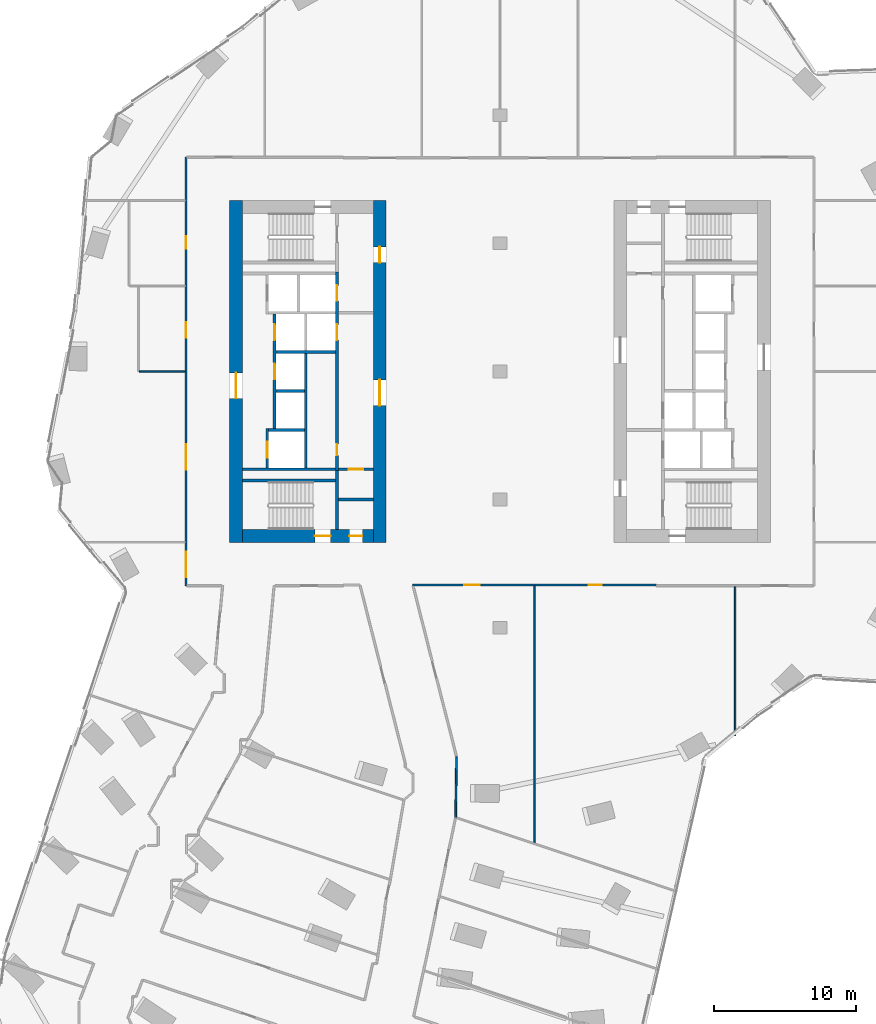
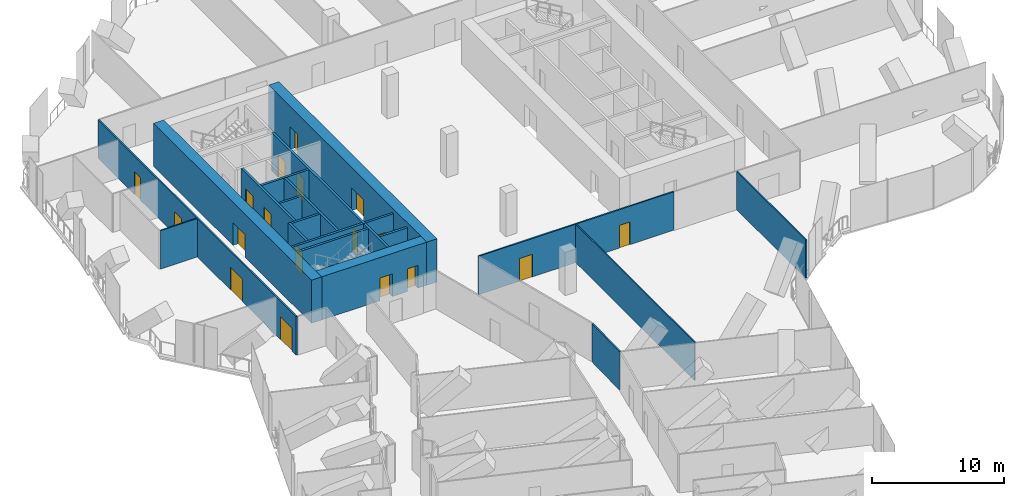
# One storey, part 21 of 28: 21 walls, 18 doors, 18 openings.
"""IFC4 building model written with IfcOpenShell, lengths in metres."""

from ifc_helpers import new_model, si_unit, direction, frame, frame_2d, origin, place, context, subcontext, project, spatial, rectangle, extrude, material, layer, layer_set, type_object, element, fill, save


model = new_model("IFC4")

# Units and contexts
model_context = context("Model", 3, precision=1e-05, world=origin(), true_north=direction((0.0, 1.0)))
body_context = subcontext(model_context, "Body", "Model", "MODEL_VIEW")
ifc_project = project(units=[si_unit("LENGTHUNIT", "METRE"), si_unit("AREAUNIT", "SQUARE_METRE"), si_unit("VOLUMEUNIT", "CUBIC_METRE"), si_unit("PLANEANGLEUNIT", "RADIAN"), si_unit("MASSUNIT", "GRAM", prefix="KILO")], contexts=[model_context])

# Site, building, storey
site_placement = place(None, origin())
site = spatial("IfcSite", under=ifc_project, at=site_placement, CompositionType="ELEMENT")
building_placement = place(site_placement, origin())
building = spatial("IfcBuilding", under=site, at=building_placement, Name="Orlundy Tower", CompositionType="ELEMENT")
storey_placement = place(building_placement, frame((0.0, 0.0, 163.10009765625)))
storey = spatial("IfcBuildingStorey", under=building, at=storey_placement, Name="L42", CompositionType="ELEMENT", Elevation=163.10009765625)

# Wall, openings, doors
ifc_material_1 = material(Name="Concrete C70/85", Category="concrete")
ifc_layer_1 = layer(ifc_material_1, 0.89990234375)
ifc_layer_set_1 = layer_set([ifc_layer_1], Name="CORE WALL 900 C70/85")
wall_type_1 = type_object("IfcWallType", Name="CORE WALL 900 C70/85", PredefinedType="SHEAR", material=ifc_layer_set_1)
wall_1_placement = place(storey_placement, frame((-18.10009765625, -11.550048828125, 0.0), z_axis=(0.0, 0.0, 1.0), x_axis=(1.0, 0.0, 0.0)))
wall_1 = element("IfcWall", 1, at=wall_1_placement, inside=storey, type_object=wall_type_1, Name="Core wall W-S L42", PredefinedType="SHEAR", context=body_context, shape_type="SweptSolid", body=[
    extrude(rectangle(XDim=9.2001953125, YDim=0.89990234375, at=frame_2d((4.60009765625, 0.0))), origin(), (0.0, 0.0, 1.0), 4.0),
])
opening_1_placement = place(wall_1_placement, frame((5.10009765625, 0.0, 0.0)))
opening_1 = element("IfcOpeningElement", 2, at=opening_1_placement, cuts=wall_1, Name="Opening 33012", PredefinedType="OPENING", context=body_context, shape_type="SweptSolid", body=[
    extrude(rectangle(XDim=1.10009765625, YDim=2.10009765625, at=frame_2d((0.550048828125, 1.050048828125))), frame((0.0, 0.4599609375, 0.0), z_axis=(0.0, -1.0, 0.0), x_axis=(1.0, 0.0, 0.0)), (0.0, 0.0, 1.0), 0.919921875),
])
opening_2_placement = place(wall_1_placement, frame((7.530029296875, 0.0, 0.0)))
opening_2 = element("IfcOpeningElement", 3, at=opening_2_placement, cuts=wall_1, Name="Opening 33014", PredefinedType="OPENING", context=body_context, shape_type="SweptSolid", body=[
    extrude(rectangle(XDim=0.89990234375, YDim=2.10009765625, at=frame_2d((0.449951171875, 1.050048828125))), frame((0.0, 0.4599609375, 0.0), z_axis=(0.0, -1.0, 0.0), x_axis=(1.0, 0.0, 0.0)), (0.0, 0.0, 1.0), 0.919921875),
])
ifc_material_2 = material(Name="Timber door set", Category="wood")
door_type_1 = type_object("IfcDoorType", Name="Room Door 900x2100", OperationType="SINGLE_SWING_LEFT", PredefinedType="DOOR", material=ifc_material_2)
door_1_placement = place(opening_2_placement, origin())
door_1 = element("IfcDoor", 4, at=door_1_placement, inside=storey, type_object=door_type_1, Name="Store door 33014", OperationType="SINGLE_SWING_RIGHT", OverallHeight=2.10009765625, OverallWidth=0.89990234375, PredefinedType="DOOR", context=body_context, shape_type="SweptSolid", body=[
    extrude(rectangle(XDim=0.89990234375, YDim=2.10009765625, at=frame_2d((0.449951171875, 1.050048828125))), frame((0.0, 0.02490234375, 0.0), z_axis=(0.0, -1.0, 0.0), x_axis=(1.0, 0.0, 0.0)), (0.0, 0.0, 1.0), 0.050048828125),
])
fill(opening_2, door_1)
ifc_material_3 = material(Name="Steel door set", Category="steel")
door_type_2 = type_object("IfcDoorType", Name="Stair Door 1100x2100", OperationType="SINGLE_SWING_LEFT", PredefinedType="DOOR", material=ifc_material_3)
door_2_placement = place(opening_1_placement, origin())
door_2 = element("IfcDoor", 5, at=door_2_placement, inside=storey, type_object=door_type_2, Name="Stair door 33012", OperationType="SINGLE_SWING_RIGHT", OverallHeight=2.10009765625, OverallWidth=1.10009765625, PredefinedType="DOOR", context=body_context, shape_type="SweptSolid", body=[
    extrude(rectangle(XDim=1.10009765625, YDim=2.10009765625, at=frame_2d((0.550048828125, 1.050048828125))), frame((0.0, 0.02490234375, 0.0), z_axis=(0.0, -1.0, 0.0), x_axis=(1.0, 0.0, 0.0)), (0.0, 0.0, 1.0), 0.050048828125),
])
fill(opening_1, door_2)

# Wall, opening, door
wall_2_placement = place(storey_placement, frame((-18.550048828125, -12.0, 0.0), z_axis=(0.0, 0.0, 1.0), x_axis=(0.0, 1.0, 0.0)))
wall_2 = element("IfcWall", 6, at=wall_2_placement, inside=storey, type_object=wall_type_1, Name="Core wall W-W L42", PredefinedType="SHEAR", context=body_context, shape_type="SweptSolid", body=[
    extrude(rectangle(XDim=24.0, YDim=0.89990234375, at=frame_2d((12.0, 0.0))), origin(), (0.0, 0.0, 1.0), 4.0),
])
opening_3_placement = place(wall_2_placement, frame((10.10009765625, 0.0, 0.0)))
opening_3 = element("IfcOpeningElement", 7, at=opening_3_placement, cuts=wall_2, Name="Opening 33009", PredefinedType="OPENING", context=body_context, shape_type="SweptSolid", body=[
    extrude(rectangle(XDim=1.800048828125, YDim=2.10009765625, at=frame_2d((0.89990234375, 1.050048828125))), frame((0.0, 0.4599609375, 0.0), z_axis=(0.0, -1.0, 0.0), x_axis=(1.0, 0.0, 0.0)), (0.0, 0.0, 1.0), 0.919921875),
])
ifc_material_4 = material(Name="Timber door set", Category="wood")
door_type_3 = type_object("IfcDoorType", Name="Lobby Door 1800x2100", OperationType="DOUBLE_DOOR_DOUBLE_SWING", PredefinedType="DOOR", material=ifc_material_4)
door_3_placement = place(opening_3_placement, origin())
door_3 = element("IfcDoor", 8, at=door_3_placement, inside=storey, type_object=door_type_3, Name="Lift lobby door 33009", OperationType="SINGLE_SWING_LEFT", OverallHeight=2.10009765625, OverallWidth=1.800048828125, PredefinedType="DOOR", context=body_context, shape_type="SweptSolid", body=[
    extrude(rectangle(XDim=1.800048828125, YDim=2.10009765625, at=frame_2d((0.89990234375, 1.050048828125))), frame((0.0, 0.02490234375, 0.0), z_axis=(0.0, -1.0, 0.0), x_axis=(1.0, 0.0, 0.0)), (0.0, 0.0, 1.0), 0.050048828125),
])
fill(opening_3, door_3)

# Wall, openings, doors
wall_3_placement = place(storey_placement, frame((-8.449951171875, -12.0, 0.0), z_axis=(0.0, 0.0, 1.0), x_axis=(0.0, 1.0, 0.0)))
wall_3 = element("IfcWall", 9, at=wall_3_placement, inside=storey, type_object=wall_type_1, Name="Core wall W-E L42", PredefinedType="SHEAR", context=body_context, shape_type="SweptSolid", body=[
    extrude(rectangle(XDim=24.0, YDim=0.89990234375, at=frame_2d((12.0, 0.0))), origin(), (0.0, 0.0, 1.0), 4.0),
])
opening_4_placement = place(wall_3_placement, frame((9.60009765625, 0.0, 0.0)))
opening_4 = element("IfcOpeningElement", 10, at=opening_4_placement, cuts=wall_3, Name="Opening 33008", PredefinedType="OPENING", context=body_context, shape_type="SweptSolid", body=[
    extrude(rectangle(XDim=1.800048828125, YDim=2.10009765625, at=frame_2d((0.89990234375, 1.050048828125))), frame((0.0, 0.4599609375, 0.0), z_axis=(0.0, -1.0, 0.0), x_axis=(1.0, 0.0, 0.0)), (0.0, 0.0, 1.0), 0.919921875),
])
opening_5_placement = place(wall_3_placement, frame((19.64990234375, 0.0, 0.0)))
opening_5 = element("IfcOpeningElement", 11, at=opening_5_placement, cuts=wall_3, Name="Opening 33010", PredefinedType="OPENING", context=body_context, shape_type="SweptSolid", body=[
    extrude(rectangle(XDim=1.10009765625, YDim=2.10009765625, at=frame_2d((0.550048828125, 1.050048828125))), frame((0.0, 0.4599609375, 0.0), z_axis=(0.0, -1.0, 0.0), x_axis=(1.0, 0.0, 0.0)), (0.0, 0.0, 1.0), 0.919921875),
])
ifc_material_5 = material(Name="Steel door set", Category="steel")
door_type_4 = type_object("IfcDoorType", Name="Fire-fighting Lobby Door 1100x2100", OperationType="SINGLE_SWING_LEFT", PredefinedType="DOOR", material=ifc_material_5)
door_4_placement = place(opening_5_placement, origin())
door_4 = element("IfcDoor", 12, at=door_4_placement, inside=storey, type_object=door_type_4, Name="Fire-fighting lobby door 33010", OperationType="SINGLE_SWING_RIGHT", OverallHeight=2.10009765625, OverallWidth=1.10009765625, PredefinedType="DOOR", context=body_context, shape_type="SweptSolid", body=[
    extrude(rectangle(XDim=1.10009765625, YDim=2.10009765625, at=frame_2d((0.550048828125, 1.050048828125))), frame((0.0, 0.02490234375, 0.0), z_axis=(0.0, -1.0, 0.0), x_axis=(1.0, 0.0, 0.0)), (0.0, 0.0, 1.0), 0.050048828125),
])
fill(opening_5, door_4)
door_5_placement = place(opening_4_placement, origin())
door_5 = element("IfcDoor", 13, at=door_5_placement, inside=storey, type_object=door_type_3, Name="Lift lobby door 33008", OperationType="SINGLE_SWING_LEFT", OverallHeight=2.10009765625, OverallWidth=1.800048828125, PredefinedType="DOOR", context=body_context, shape_type="SweptSolid", body=[
    extrude(rectangle(XDim=1.800048828125, YDim=2.10009765625, at=frame_2d((0.89990234375, 1.050048828125))), frame((0.0, 0.02490234375, 0.0), z_axis=(0.0, -1.0, 0.0), x_axis=(1.0, 0.0, 0.0)), (0.0, 0.0, 1.0), 0.050048828125),
])
fill(opening_4, door_5)

# Walls
ifc_material_6 = material(Name="Gypsum board partition")
ifc_layer_2 = layer(ifc_material_6, 0.10009765625)
ifc_layer_set_2 = layer_set([ifc_layer_2], Name="Floor partition 100")
wall_type_2 = type_object("IfcWallType", Name="Floor partition 100", PredefinedType="PARTITIONING", material=ifc_layer_set_2)
wall_4_placement = place(storey_placement, frame((-25.3310546875, 0.0009765625, 0.0), z_axis=(0.0, 0.0, 1.0), x_axis=(1.0, 0.0, 0.0)))
element("IfcWall", 14, at=wall_4_placement, inside=storey, type_object=wall_type_2, Name="wall-int-L42-048", PredefinedType="PARTITIONING", context=body_context, shape_type="SweptSolid", body=[
    extrude(rectangle(XDim=3.218017578125, YDim=0.10009765625, at=frame_2d((1.60888671875, 0.0))), origin(), (0.0, 0.0, 1.0), 3.559814453125),
])
wall_5_placement = place(storey_placement, frame((16.52099609375, -25.596923828125, 0.0), z_axis=(0.0, 0.0, 1.0), x_axis=(0.0, 1.0, 0.0)))
element("IfcWall", 15, at=wall_5_placement, inside=storey, type_object=wall_type_2, Name="wall-int-L42-092", PredefinedType="PARTITIONING", context=body_context, shape_type="SweptSolid", body=[
    extrude(rectangle(XDim=10.48291015625, YDim=0.10009765625, at=frame_2d((5.241455078125, 0.0))), origin(), (0.0, 0.0, 1.0), 3.559814453125),
])
wall_6_placement = place(storey_placement, frame((2.43408203125, -33.112060546875, 0.0), z_axis=(0.0, 0.0, 1.0), x_axis=(5.4103039e-05, 0.999999998536, 0.0)))
element("IfcWall", 16, at=wall_6_placement, inside=storey, type_object=wall_type_2, Name="wall-int-L42-095", PredefinedType="PARTITIONING", context=body_context, shape_type="SweptSolid", body=[
    extrude(rectangle(XDim=18.050048828125, YDim=0.10009765625, at=frame_2d((9.02490234375, 0.0))), origin(), (0.0, 0.0, 1.0), 3.559814453125),
])

# Wall, openings, doors
ifc_material_7 = material(Name="Gypsum board partition, double layer")
ifc_layer_3 = layer(ifc_material_7, 0.125)
ifc_layer_set_3 = layer_set([ifc_layer_3], Name="Floor partition 125")
wall_type_3 = type_object("IfcWallType", Name="Floor partition 125", PredefinedType="PARTITIONING", material=ifc_layer_set_3)
wall_7_placement = place(storey_placement, frame((10.991943359375, -15.0, 0.0), z_axis=(0.0, 0.0, 1.0), x_axis=(-1.0, 0.0, 0.0)))
wall_7 = element("IfcWall", 17, at=wall_7_placement, inside=storey, type_object=wall_type_3, Name="wall-int-L42-045", PredefinedType="PARTITIONING", context=body_context, shape_type="SweptSolid", body=[
    extrude(rectangle(XDim=17.11083984375, YDim=0.125, at=frame_2d((8.555419921875, 0.0))), origin(), (0.0, 0.0, 1.0), 3.559814453125),
])
opening_6_placement = place(wall_7_placement, frame((12.40673828125, 0.0, 0.0)))
opening_6 = element("IfcOpeningElement", 18, at=opening_6_placement, cuts=wall_7, Name="Opening 33116", PredefinedType="OPENING", context=body_context, shape_type="SweptSolid", body=[
    extrude(rectangle(XDim=1.10009765625, YDim=2.10009765625, at=frame_2d((0.550048828125, 1.050048828125))), frame((0.0, 0.072509765625, 0.0), z_axis=(0.0, -1.0, 0.0), x_axis=(1.0, 0.0, 0.0)), (0.0, 0.0, 1.0), 0.14501953125),
])
opening_7_placement = place(wall_7_placement, frame((3.851806640625, 0.0, 0.0)))
opening_7 = element("IfcOpeningElement", 19, at=opening_7_placement, cuts=wall_7, Name="Opening 33117", PredefinedType="OPENING", context=body_context, shape_type="SweptSolid", body=[
    extrude(rectangle(XDim=0.89990234375, YDim=2.10009765625, at=frame_2d((0.449951171875, 1.050048828125))), frame((0.0, 0.072509765625, 0.0), z_axis=(0.0, -1.0, 0.0), x_axis=(1.0, 0.0, 0.0)), (0.0, 0.0, 1.0), 0.14501953125),
])
ifc_material_8 = material(Name="Timber door leaf", Category="wood")
door_type_5 = type_object("IfcDoorType", Name="Floor door single 900 FD30S", OperationType="NOTDEFINED", PredefinedType="DOOR", material=ifc_material_8)
door_6_placement = place(opening_7_placement, origin())
door_6 = element("IfcDoor", 20, at=door_6_placement, inside=storey, type_object=door_type_5, Name="Door 33117", OperationType="SINGLE_SWING_LEFT", OverallHeight=2.10009765625, OverallWidth=0.89990234375, PredefinedType="DOOR", context=body_context, shape_type="SweptSolid", body=[
    extrude(rectangle(XDim=0.89990234375, YDim=2.10009765625, at=frame_2d((0.449951171875, 1.050048828125))), frame((0.0, 0.02490234375, 0.0), z_axis=(0.0, -1.0, 0.0), x_axis=(1.0, 0.0, 0.0)), (0.0, 0.0, 1.0), 0.050048828125),
])
fill(opening_7, door_6)
ifc_material_9 = material(Name="Timber door leaf", Category="wood")
door_type_6 = type_object("IfcDoorType", Name="Floor door xwide 1100 FD30S", OperationType="NOTDEFINED", PredefinedType="DOOR", material=ifc_material_9)
door_7_placement = place(opening_6_placement, origin())
door_7 = element("IfcDoor", 21, at=door_7_placement, inside=storey, type_object=door_type_6, Name="Door 33116", OperationType="SINGLE_SWING_RIGHT", OverallHeight=2.10009765625, OverallWidth=1.10009765625, PredefinedType="DOOR", context=body_context, shape_type="SweptSolid", body=[
    extrude(rectangle(XDim=1.10009765625, YDim=2.10009765625, at=frame_2d((0.550048828125, 1.050048828125))), frame((0.0, 0.02490234375, 0.0), z_axis=(0.0, -1.0, 0.0), x_axis=(1.0, 0.0, 0.0)), (0.0, 0.0, 1.0), 0.050048828125),
])
fill(opening_6, door_7)

# Wall
wall_8_placement = place(storey_placement, frame((-3.114990234375, -31.323974609375, 0.0), z_axis=(0.0, 0.0, 1.0), x_axis=(0.015708170038, 0.999876619086, 0.0)))
element("IfcWall", 22, at=wall_8_placement, inside=storey, type_object=wall_type_3, Name="wall-int-L42-083", PredefinedType="PARTITIONING", context=body_context, shape_type="SweptSolid", body=[
    extrude(rectangle(XDim=4.258544921875, YDim=0.125, at=frame_2d((2.12939453125, 0.0))), origin(), (0.0, 0.0, 1.0), 3.559814453125),
])

# Wall, openings, doors
wall_9_placement = place(storey_placement, frame((-22.050048828125, -15.051025390625, 0.0), z_axis=(0.0, 0.0, 1.0), x_axis=(0.0, 1.0, 0.0)))
wall_9 = element("IfcWall", 23, at=wall_9_placement, inside=storey, type_object=wall_type_3, Name="wall-int-L42-107", PredefinedType="PARTITIONING", context=body_context, shape_type="SweptSolid", body=[
    extrude(rectangle(XDim=30.10205078125, YDim=0.125, at=frame_2d((15.051025390625, 0.0))), origin(), (0.0, 0.0, 1.0), 3.559814453125),
])
opening_8_placement = place(wall_9_placement, frame((8.15087890625, 0.0, 0.0)))
opening_8 = element("IfcOpeningElement", 24, at=opening_8_placement, cuts=wall_9, Name="Opening 33110", PredefinedType="OPENING", context=body_context, shape_type="SweptSolid", body=[
    extrude(rectangle(XDim=1.800048828125, YDim=2.10009765625, at=frame_2d((0.89990234375, 1.050048828125))), frame((0.0, 0.072509765625, 0.0), z_axis=(0.0, -1.0, 0.0), x_axis=(1.0, 0.0, 0.0)), (0.0, 0.0, 1.0), 0.14501953125),
])
opening_9_placement = place(wall_9_placement, frame((0.60009765625, 0.0, 0.0)))
opening_9 = element("IfcOpeningElement", 25, at=opening_9_placement, cuts=wall_9, Name="Opening 33111", PredefinedType="OPENING", context=body_context, shape_type="SweptSolid", body=[
    extrude(rectangle(XDim=1.800048828125, YDim=2.10009765625, at=frame_2d((0.89990234375, 1.050048828125))), frame((0.0, 0.072509765625, 0.0), z_axis=(0.0, -1.0, 0.0), x_axis=(1.0, 0.0, 0.0)), (0.0, 0.0, 1.0), 0.14501953125),
])
opening_10_placement = place(wall_9_placement, frame((23.652099609375, 0.0, 0.0)))
opening_10 = element("IfcOpeningElement", 26, at=opening_10_placement, cuts=wall_9, Name="Opening 33129", PredefinedType="OPENING", context=body_context, shape_type="SweptSolid", body=[
    extrude(rectangle(XDim=0.89990234375, YDim=2.10009765625, at=frame_2d((0.449951171875, 1.050048828125))), frame((0.0, 0.072509765625, 0.0), z_axis=(0.0, -1.0, 0.0), x_axis=(1.0, 0.0, 0.0)), (0.0, 0.0, 1.0), 0.14501953125),
])
opening_11_placement = place(wall_9_placement, frame((17.403076171875, 0.0, 0.0)))
opening_11 = element("IfcOpeningElement", 27, at=opening_11_placement, cuts=wall_9, Name="Opening 33130", PredefinedType="OPENING", context=body_context, shape_type="SweptSolid", body=[
    extrude(rectangle(XDim=1.10009765625, YDim=2.10009765625, at=frame_2d((0.550048828125, 1.050048828125))), frame((0.0, 0.072509765625, 0.0), z_axis=(0.0, -1.0, 0.0), x_axis=(1.0, 0.0, 0.0)), (0.0, 0.0, 1.0), 0.14501953125),
])
ifc_material_10 = material(Name="Timber door leaf", Category="wood")
door_type_7 = type_object("IfcDoorType", Name="Floor door double 1800 FD30S", OperationType="NOTDEFINED", PredefinedType="DOOR", material=ifc_material_10)
door_8_placement = place(opening_8_placement, origin())
door_8 = element("IfcDoor", 28, at=door_8_placement, inside=storey, type_object=door_type_7, Name="Door 33110", OperationType="DOUBLE_DOOR_SINGLE_SWING", OverallHeight=2.10009765625, OverallWidth=1.800048828125, PredefinedType="DOOR", context=body_context, shape_type="SweptSolid", body=[
    extrude(rectangle(XDim=1.800048828125, YDim=2.10009765625, at=frame_2d((0.89990234375, 1.050048828125))), frame((0.0, 0.02490234375, 0.0), z_axis=(0.0, -1.0, 0.0), x_axis=(1.0, 0.0, 0.0)), (0.0, 0.0, 1.0), 0.050048828125),
])
fill(opening_8, door_8)
door_9_placement = place(opening_9_placement, origin())
door_9 = element("IfcDoor", 29, at=door_9_placement, inside=storey, type_object=door_type_7, Name="Door 33111", OperationType="DOUBLE_DOOR_SINGLE_SWING", OverallHeight=2.10009765625, OverallWidth=1.800048828125, PredefinedType="DOOR", context=body_context, shape_type="SweptSolid", body=[
    extrude(rectangle(XDim=1.800048828125, YDim=2.10009765625, at=frame_2d((0.89990234375, 1.050048828125))), frame((0.0, 0.02490234375, 0.0), z_axis=(0.0, -1.0, 0.0), x_axis=(1.0, 0.0, 0.0)), (0.0, 0.0, 1.0), 0.050048828125),
])
fill(opening_9, door_9)
door_10_placement = place(opening_10_placement, origin())
door_10 = element("IfcDoor", 30, at=door_10_placement, inside=storey, type_object=door_type_5, Name="Door 33129", OperationType="SINGLE_SWING_RIGHT", OverallHeight=2.10009765625, OverallWidth=0.89990234375, PredefinedType="DOOR", context=body_context, shape_type="SweptSolid", body=[
    extrude(rectangle(XDim=0.89990234375, YDim=2.10009765625, at=frame_2d((0.449951171875, 1.050048828125))), frame((0.0, 0.02490234375, 0.0), z_axis=(0.0, -1.0, 0.0), x_axis=(1.0, 0.0, 0.0)), (0.0, 0.0, 1.0), 0.050048828125),
])
fill(opening_10, door_10)
door_11_placement = place(opening_11_placement, origin())
door_11 = element("IfcDoor", 31, at=door_11_placement, inside=storey, type_object=door_type_6, Name="Door 33130", OperationType="SINGLE_SWING_RIGHT", OverallHeight=2.10009765625, OverallWidth=1.10009765625, PredefinedType="DOOR", context=body_context, shape_type="SweptSolid", body=[
    extrude(rectangle(XDim=1.10009765625, YDim=2.10009765625, at=frame_2d((0.550048828125, 1.050048828125))), frame((0.0, 0.02490234375, 0.0), z_axis=(0.0, -1.0, 0.0), x_axis=(1.0, 0.0, 0.0)), (0.0, 0.0, 1.0), 0.050048828125),
])
fill(opening_11, door_11)

# Walls
ifc_material_11 = material(Name="Concrete C40/50", Category="concrete")
ifc_layer_4 = layer(ifc_material_11, 0.199951171875)
ifc_layer_set_4 = layer_set([ifc_layer_4], Name="Load-bearing Shaft Wall 200")
wall_type_4 = type_object("IfcWallType", Name="Load-bearing Shaft Wall 200", PredefinedType="SOLIDWALL", material=ifc_layer_set_4)
wall_10_placement = place(storey_placement, frame((-11.43994140625, -11.10009765625, 0.0), z_axis=(0.0, 0.0, 1.0), x_axis=(0.0, 1.0, 0.0)))
element("IfcWall", 32, at=wall_10_placement, inside=storey, type_object=wall_type_4, Name="Shaft wall W33-stair-end-s", PredefinedType="SOLIDWALL", context=body_context, shape_type="SweptSolid", body=[
    extrude(rectangle(XDim=4.125, YDim=0.199951171875, at=frame_2d((2.0625, 0.0))), origin(), (0.0, 0.0, 1.0), 3.579833984375),
])
wall_11_placement = place(storey_placement, frame((-11.5400390625, -7.64990234375, 0.0), z_axis=(0.0, 0.0, 1.0), x_axis=(-1.0, 0.0, 0.0)))
element("IfcWall", 33, at=wall_11_placement, inside=storey, type_object=wall_type_4, Name="Shaft wall W33-stair-side-s", PredefinedType="SOLIDWALL", context=body_context, shape_type="SweptSolid", body=[
    extrude(rectangle(XDim=6.56005859375, YDim=0.199951171875, at=frame_2d((3.280029296875, 0.0))), origin(), (0.0, 0.0, 1.0), 3.579833984375),
])

# Wall, opening, door
ifc_material_12 = material(Name="Gypsum board partition on steel studs", Category="steel")
ifc_layer_5 = layer(ifc_material_12, 0.199951171875)
ifc_layer_set_5 = layer_set([ifc_layer_5], Name="Partition 200")
wall_type_5 = type_object("IfcWallType", Name="Partition 200", PredefinedType="PARTITIONING", material=ifc_layer_set_5)
wall_12_placement = place(storey_placement, frame((-8.89990234375, -6.875, 0.0), z_axis=(0.0, 0.0, 1.0), x_axis=(-1.0, 0.0, 0.0)))
wall_12 = element("IfcWall", 34, at=wall_12_placement, inside=storey, type_object=wall_type_5, Name="Partition wall W33-end-s", PredefinedType="PARTITIONING", context=body_context, shape_type="SweptSolid", body=[
    extrude(rectangle(XDim=2.440185546875, YDim=0.199951171875, at=frame_2d((1.22021484375, 0.0))), origin(), (0.0, 0.0, 1.0), 3.579833984375),
])
opening_12_placement = place(wall_12_placement, frame((0.719970703125, 0.0, 0.0)))
opening_12 = element("IfcOpeningElement", 35, at=opening_12_placement, cuts=wall_12, Name="Opening 33015", PredefinedType="OPENING", context=body_context, shape_type="SweptSolid", body=[
    extrude(rectangle(XDim=1.0, YDim=2.10009765625, at=frame_2d((0.5, 1.050048828125))), frame((0.0, 0.110107421875, 0.0), z_axis=(0.0, -1.0, 0.0), x_axis=(1.0, 0.0, 0.0)), (0.0, 0.0, 1.0), 0.22021484375),
])
ifc_material_13 = material(Name="Timber door set", Category="wood")
door_type_8 = type_object("IfcDoorType", Name="Accessible Door 1000x2100", OperationType="SINGLE_SWING_LEFT", PredefinedType="DOOR", material=ifc_material_13)
door_12_placement = place(opening_12_placement, origin())
door_12 = element("IfcDoor", 36, at=door_12_placement, inside=storey, type_object=door_type_8, Name="Accessible WC door 33015", OperationType="SINGLE_SWING_RIGHT", OverallHeight=2.10009765625, OverallWidth=1.0, PredefinedType="DOOR", context=body_context, shape_type="SweptSolid", body=[
    extrude(rectangle(XDim=1.0, YDim=2.10009765625, at=frame_2d((0.5, 1.050048828125))), frame((0.0, 0.02490234375, 0.0), z_axis=(0.0, -1.0, 0.0), x_axis=(1.0, 0.0, 0.0)), (0.0, 0.0, 1.0), 0.050048828125),
])
fill(opening_12, door_12)

# Walls
wall_13_placement = place(storey_placement, frame((-8.89990234375, -9.0, 0.0), z_axis=(0.0, 0.0, 1.0), x_axis=(-1.0, 0.0, 0.0)))
element("IfcWall", 37, at=wall_13_placement, inside=storey, type_object=wall_type_5, Name="Partition wall W33-room-s0", PredefinedType="PARTITIONING", context=body_context, shape_type="SweptSolid", body=[
    extrude(rectangle(XDim=2.440185546875, YDim=0.199951171875, at=frame_2d((1.22021484375, 0.0))), origin(), (0.0, 0.0, 1.0), 3.579833984375),
])
ifc_material_14 = material(Name="Fire-rated blockwork shaft wall", Category="masonry")
ifc_layer_6 = layer(ifc_material_14, 0.199951171875)
ifc_layer_set_6 = layer_set([ifc_layer_6], Name="Shaft Wall 200")
wall_type_6 = type_object("IfcWallType", Name="Shaft Wall 200", PredefinedType="SOLIDWALL", material=ifc_layer_set_6)
wall_14_placement = place(storey_placement, frame((-11.5400390625, -6.875, 0.0), z_axis=(0.0, 0.0, 1.0), x_axis=(-1.0, 0.0, 0.0)))
element("IfcWall", 38, at=wall_14_placement, inside=storey, type_object=wall_type_6, Name="Shaft wall W33-zone-s", PredefinedType="SOLIDWALL", context=body_context, shape_type="SweptSolid", body=[
    extrude(rectangle(XDim=6.56005859375, YDim=0.199951171875, at=frame_2d((3.280029296875, 0.0))), origin(), (0.0, 0.0, 1.0), 3.579833984375),
])
wall_15_placement = place(storey_placement, frame((-13.739990234375, -4.125, 0.0), z_axis=(0.0, 0.0, 1.0), x_axis=(-1.0, 0.0, 0.0)))
element("IfcWall", 39, at=wall_15_placement, inside=storey, type_object=wall_type_6, Name="Shaft wall W33-cross-4.125", PredefinedType="SOLIDWALL", context=body_context, shape_type="SweptSolid", body=[
    extrude(rectangle(XDim=2.5, YDim=0.199951171875, at=frame_2d((1.25, 0.0))), origin(), (0.0, 0.0, 1.0), 3.579833984375),
])
wall_16_placement = place(storey_placement, frame((-13.739990234375, -1.375, 0.0), z_axis=(0.0, 0.0, 1.0), x_axis=(-1.0, 0.0, 0.0)))
element("IfcWall", 40, at=wall_16_placement, inside=storey, type_object=wall_type_6, Name="Shaft wall W33-cross-1.375", PredefinedType="SOLIDWALL", context=body_context, shape_type="SweptSolid", body=[
    extrude(rectangle(XDim=2.0, YDim=0.199951171875, at=frame_2d((1.0, 0.0))), origin(), (0.0, 0.0, 1.0), 3.579833984375),
])
wall_17_placement = place(storey_placement, frame((-11.5400390625, 1.375, 0.0), z_axis=(0.0, 0.0, 1.0), x_axis=(-1.0, 0.0, 0.0)))
element("IfcWall", 41, at=wall_17_placement, inside=storey, type_object=wall_type_6, Name="Shaft wall W33-cross+1.375", PredefinedType="SOLIDWALL", context=body_context, shape_type="SweptSolid", body=[
    extrude(rectangle(XDim=4.199951171875, YDim=0.199951171875, at=frame_2d((2.10009765625, 0.0))), origin(), (0.0, 0.0, 1.0), 3.579833984375),
])

# Wall, openings, doors
wall_18_placement = place(storey_placement, frame((-11.43994140625, -6.97509765625, 0.0), z_axis=(0.0, 0.0, 1.0), x_axis=(0.0, 1.0, 0.0)))
wall_18 = element("IfcWall", 42, at=wall_18_placement, inside=storey, type_object=wall_type_6, Name="Shaft wall W33-front-h", PredefinedType="SOLIDWALL", context=body_context, shape_type="SweptSolid", body=[
    extrude(rectangle(XDim=13.9501953125, YDim=0.199951171875, at=frame_2d((6.97509765625, 0.0))), origin(), (0.0, 0.0, 1.0), 3.579833984375),
])
opening_13_placement = place(wall_18_placement, frame((9.175048828125, 0.0, 0.0)))
opening_13 = element("IfcOpeningElement", 43, at=opening_13_placement, cuts=wall_18, Name="Opening 33003", PredefinedType="OPENING", context=body_context, shape_type="SweptSolid", body=[
    extrude(rectangle(XDim=1.10009765625, YDim=2.10009765625, at=frame_2d((0.550048828125, 1.050048828125))), frame((0.0, 0.110107421875, 0.0), z_axis=(0.0, -1.0, 0.0), x_axis=(1.0, 0.0, 0.0)), (0.0, 0.0, 1.0), 0.22021484375),
])
opening_14_placement = place(wall_18_placement, frame((11.925048828125, 0.0, 0.0)))
opening_14 = element("IfcOpeningElement", 44, at=opening_14_placement, cuts=wall_18, Name="Opening 33005", PredefinedType="OPENING", context=body_context, shape_type="SweptSolid", body=[
    extrude(rectangle(XDim=1.10009765625, YDim=2.10009765625, at=frame_2d((0.550048828125, 1.050048828125))), frame((0.0, 0.110107421875, 0.0), z_axis=(0.0, -1.0, 0.0), x_axis=(1.0, 0.0, 0.0)), (0.0, 0.0, 1.0), 0.22021484375),
])
opening_15_placement = place(wall_18_placement, frame((1.074951171875, 0.0, 0.0)))
opening_15 = element("IfcOpeningElement", 45, at=opening_15_placement, cuts=wall_18, Name="Opening 33007", PredefinedType="OPENING", context=body_context, shape_type="SweptSolid", body=[
    extrude(rectangle(XDim=0.800048828125, YDim=2.10009765625, at=frame_2d((0.39990234375, 1.050048828125))), frame((0.0, 0.110107421875, 0.0), z_axis=(0.0, -1.0, 0.0), x_axis=(1.0, 0.0, 0.0)), (0.0, 0.0, 1.0), 0.22021484375),
])
ifc_material_15 = material(Name="Steel door set", Category="steel")
door_type_9 = type_object("IfcDoorType", Name="Landing Door 1100x2100", OperationType="DOUBLE_DOOR_SLIDING", PredefinedType="DOOR", material=ifc_material_15)
door_13_placement = place(opening_13_placement, origin())
door_13 = element("IfcDoor", 46, at=door_13_placement, inside=storey, type_object=door_type_9, Name="Lift landing door LP-12 33003", OperationType="DOUBLE_DOOR_SLIDING", OverallHeight=2.10009765625, OverallWidth=1.10009765625, PredefinedType="DOOR", context=body_context, shape_type="SweptSolid", body=[
    extrude(rectangle(XDim=1.10009765625, YDim=2.10009765625, at=frame_2d((0.550048828125, 1.050048828125))), frame((0.0, 0.02490234375, 0.0), z_axis=(0.0, -1.0, 0.0), x_axis=(1.0, 0.0, 0.0)), (0.0, 0.0, 1.0), 0.050048828125),
])
fill(opening_13, door_13)
door_14_placement = place(opening_14_placement, origin())
door_14 = element("IfcDoor", 47, at=door_14_placement, inside=storey, type_object=door_type_9, Name="Lift landing door FL1 33005", OperationType="DOUBLE_DOOR_SLIDING", OverallHeight=2.10009765625, OverallWidth=1.10009765625, PredefinedType="DOOR", context=body_context, shape_type="SweptSolid", body=[
    extrude(rectangle(XDim=1.10009765625, YDim=2.10009765625, at=frame_2d((0.550048828125, 1.050048828125))), frame((0.0, 0.02490234375, 0.0), z_axis=(0.0, -1.0, 0.0), x_axis=(1.0, 0.0, 0.0)), (0.0, 0.0, 1.0), 0.050048828125),
])
fill(opening_14, door_14)
ifc_material_16 = material(Name="Timber door set", Category="wood")
door_type_10 = type_object("IfcDoorType", Name="Riser Door 800x2100", OperationType="SINGLE_SWING_LEFT", PredefinedType="DOOR", material=ifc_material_16)
door_15_placement = place(opening_15_placement, origin())
door_15 = element("IfcDoor", 48, at=door_15_placement, inside=storey, type_object=door_type_10, Name="Electrical Riser Room door 33007", OperationType="SINGLE_SWING_LEFT", OverallHeight=2.10009765625, OverallWidth=0.800048828125, PredefinedType="DOOR", context=body_context, shape_type="SweptSolid", body=[
    extrude(rectangle(XDim=0.800048828125, YDim=2.10009765625, at=frame_2d((0.39990234375, 1.050048828125))), frame((0.0, 0.02490234375, 0.0), z_axis=(0.0, -1.0, 0.0), x_axis=(1.0, 0.0, 0.0)), (0.0, 0.0, 1.0), 0.050048828125),
])
fill(opening_15, door_15)

# Wall
wall_19_placement = place(storey_placement, frame((-13.639892578125, -6.77490234375, 0.0), z_axis=(0.0, 0.0, 1.0), x_axis=(0.0, 1.0, 0.0)))
element("IfcWall", 49, at=wall_19_placement, inside=storey, type_object=wall_type_6, Name="Shaft wall W33-mid-a", PredefinedType="SOLIDWALL", context=body_context, shape_type="SweptSolid", body=[
    extrude(rectangle(XDim=8.0498046875, YDim=0.199951171875, at=frame_2d((4.02490234375, 0.0))), origin(), (0.0, 0.0, 1.0), 3.579833984375),
])

# Wall, opening, door
wall_20_placement = place(storey_placement, frame((-16.340087890625, -6.77490234375, 0.0), z_axis=(0.0, 0.0, 1.0), x_axis=(0.0, 1.0, 0.0)))
wall_20 = element("IfcWall", 50, at=wall_20_placement, inside=storey, type_object=wall_type_6, Name="Shaft wall W33-front-o-a", PredefinedType="SOLIDWALL", context=body_context, shape_type="SweptSolid", body=[
    extrude(rectangle(XDim=2.75, YDim=0.199951171875, at=frame_2d((1.375, 0.0))), origin(), (0.0, 0.0, 1.0), 3.579833984375),
])
opening_16_placement = place(wall_20_placement, frame((0.72509765625, 0.0, 0.0)))
opening_16 = element("IfcOpeningElement", 51, at=opening_16_placement, cuts=wall_20, Name="Opening 33001", PredefinedType="OPENING", context=body_context, shape_type="SweptSolid", body=[
    extrude(rectangle(XDim=1.10009765625, YDim=2.10009765625, at=frame_2d((0.550048828125, 1.050048828125))), frame((0.0, 0.110107421875, 0.0), z_axis=(0.0, -1.0, 0.0), x_axis=(1.0, 0.0, 0.0)), (0.0, 0.0, 1.0), 0.22021484375),
])
door_16_placement = place(opening_16_placement, origin())
door_16 = element("IfcDoor", 52, at=door_16_placement, inside=storey, type_object=door_type_9, Name="Lift landing door LV-01 33001", OperationType="DOUBLE_DOOR_SLIDING", OverallHeight=2.10009765625, OverallWidth=1.10009765625, PredefinedType="DOOR", context=body_context, shape_type="SweptSolid", body=[
    extrude(rectangle(XDim=1.10009765625, YDim=2.10009765625, at=frame_2d((0.550048828125, 1.050048828125))), frame((0.0, 0.02490234375, 0.0), z_axis=(0.0, -1.0, 0.0), x_axis=(1.0, 0.0, 0.0)), (0.0, 0.0, 1.0), 0.050048828125),
])
fill(opening_16, door_16)

# Wall, openings, doors
wall_21_placement = place(storey_placement, frame((-15.840087890625, -4.02490234375, 0.0), z_axis=(0.0, 0.0, 1.0), x_axis=(0.0, 1.0, 0.0)))
wall_21 = element("IfcWall", 53, at=wall_21_placement, inside=storey, type_object=wall_type_6, Name="Shaft wall W33-front-o-b", PredefinedType="SOLIDWALL", context=body_context, shape_type="SweptSolid", body=[
    extrude(rectangle(XDim=8.0498046875, YDim=0.199951171875, at=frame_2d((4.02490234375, 0.0))), origin(), (0.0, 0.0, 1.0), 3.579833984375),
])
opening_17_placement = place(wall_21_placement, frame((3.47509765625, 0.0, 0.0)))
opening_17 = element("IfcOpeningElement", 54, at=opening_17_placement, cuts=wall_21, Name="Opening 33002", PredefinedType="OPENING", context=body_context, shape_type="SweptSolid", body=[
    extrude(rectangle(XDim=1.10009765625, YDim=2.10009765625, at=frame_2d((0.550048828125, 1.050048828125))), frame((0.0, 0.110107421875, 0.0), z_axis=(0.0, -1.0, 0.0), x_axis=(1.0, 0.0, 0.0)), (0.0, 0.0, 1.0), 0.22021484375),
])
opening_18_placement = place(wall_21_placement, frame((6.22509765625, 0.0, 0.0)))
opening_18 = element("IfcOpeningElement", 55, at=opening_18_placement, cuts=wall_21, Name="Opening 33004", PredefinedType="OPENING", context=body_context, shape_type="SweptSolid", body=[
    extrude(rectangle(XDim=1.10009765625, YDim=2.10009765625, at=frame_2d((0.550048828125, 1.050048828125))), frame((0.0, 0.110107421875, 0.0), z_axis=(0.0, -1.0, 0.0), x_axis=(1.0, 0.0, 0.0)), (0.0, 0.0, 1.0), 0.22021484375),
])
door_17_placement = place(opening_17_placement, origin())
door_17 = element("IfcDoor", 56, at=door_17_placement, inside=storey, type_object=door_type_9, Name="Lift landing door LP-11 33002", OperationType="DOUBLE_DOOR_SLIDING", OverallHeight=2.10009765625, OverallWidth=1.10009765625, PredefinedType="DOOR", context=body_context, shape_type="SweptSolid", body=[
    extrude(rectangle(XDim=1.10009765625, YDim=2.10009765625, at=frame_2d((0.550048828125, 1.050048828125))), frame((0.0, 0.02490234375, 0.0), z_axis=(0.0, -1.0, 0.0), x_axis=(1.0, 0.0, 0.0)), (0.0, 0.0, 1.0), 0.050048828125),
])
fill(opening_17, door_17)
door_18_placement = place(opening_18_placement, origin())
door_18 = element("IfcDoor", 57, at=door_18_placement, inside=storey, type_object=door_type_9, Name="Lift landing door LP-13 33004", OperationType="DOUBLE_DOOR_SLIDING", OverallHeight=2.10009765625, OverallWidth=1.10009765625, PredefinedType="DOOR", context=body_context, shape_type="SweptSolid", body=[
    extrude(rectangle(XDim=1.10009765625, YDim=2.10009765625, at=frame_2d((0.550048828125, 1.050048828125))), frame((0.0, 0.02490234375, 0.0), z_axis=(0.0, -1.0, 0.0), x_axis=(1.0, 0.0, 0.0)), (0.0, 0.0, 1.0), 0.050048828125),
])
fill(opening_18, door_18)

save(model, "model.ifc")
